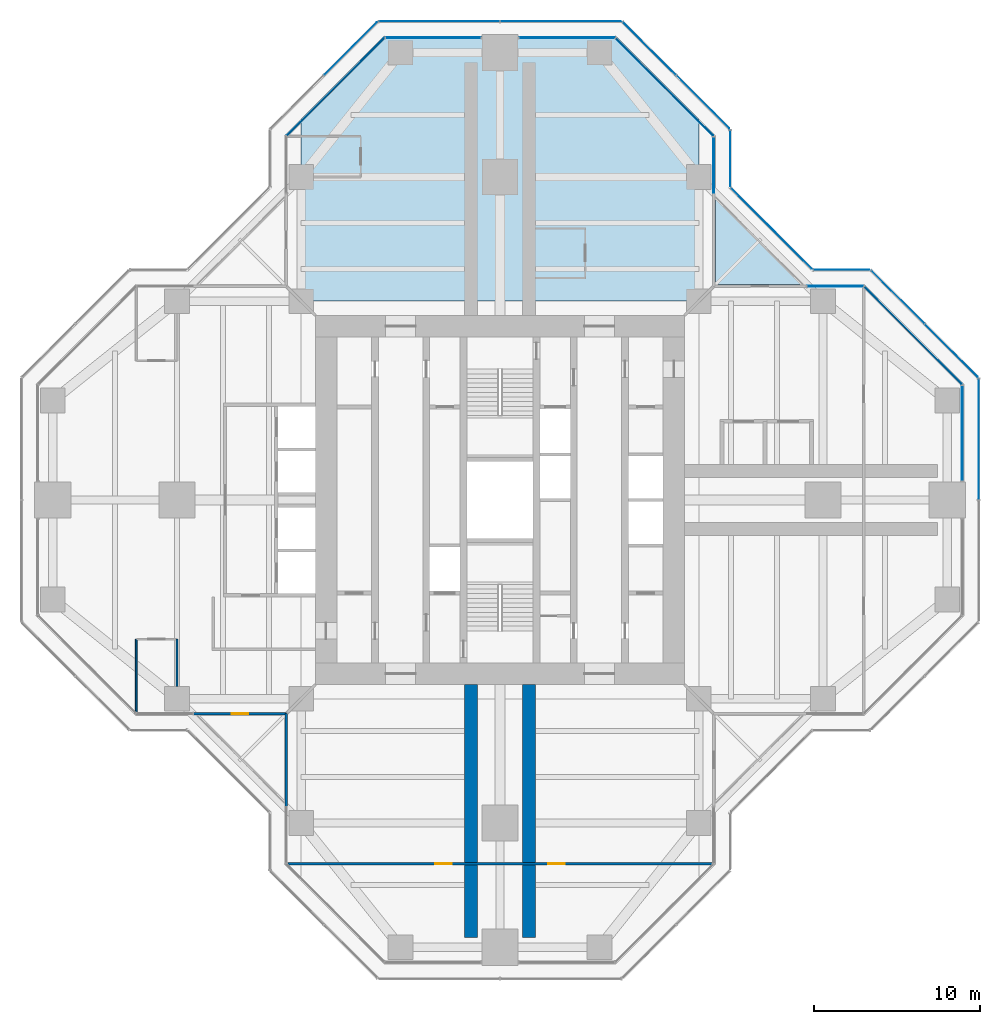
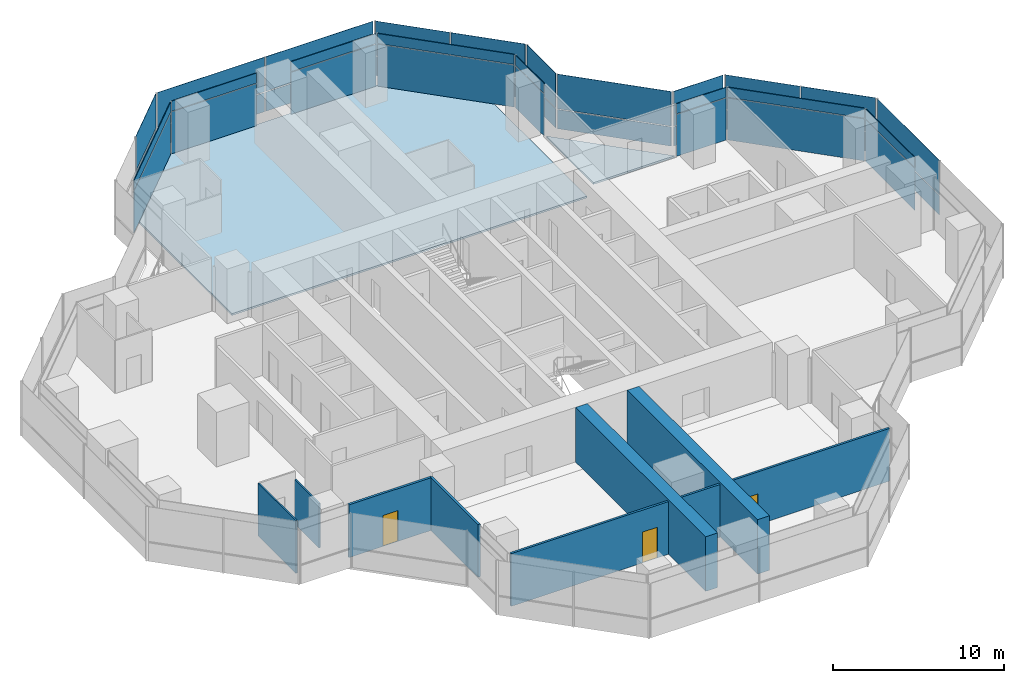
# One storey, part 12 of 17: 38 plates, 7 walls, 3 doors, 2 slabs, 3 openings, 16 elements without a shape of their own.
"""IFC4 building model written with IfcOpenShell, lengths in metres."""

from ifc_helpers import new_model, si_unit, direction, frame, frame_2d, origin, origin_2d, place, context, subcontext, project, spatial, polyline, rectangle, outline, extrude, material, layer, layer_set, type_object, element, fill, aggregate, save


model = new_model("IFC4")

# Units and contexts
model_context = context("Model", 3, precision=1e-05, world=origin(), true_north=direction((0.0, 1.0)))
body_context = subcontext(model_context, "Body", "Model", "MODEL_VIEW")
ifc_project = project(units=[si_unit("LENGTHUNIT", "METRE"), si_unit("AREAUNIT", "SQUARE_METRE"), si_unit("VOLUMEUNIT", "CUBIC_METRE"), si_unit("PLANEANGLEUNIT", "RADIAN"), si_unit("MASSUNIT", "GRAM", prefix="KILO")], contexts=[model_context])

# Site, building, storey
site_placement = place(None, origin())
site = spatial("IfcSite", under=ifc_project, at=site_placement, CompositionType="ELEMENT")
building_placement = place(site_placement, origin())
building = spatial("IfcBuilding", under=site, at=building_placement, Name="Mizan Broadcast Tower", CompositionType="ELEMENT")
storey_placement = place(building_placement, frame((0.0, 0.0, 208.800048828125)))
storey = spatial("IfcBuildingStorey", under=building, at=storey_placement, Name="L48", CompositionType="ELEMENT", Elevation=208.800048828125)

# Slab
ifc_material_1 = material(Name="Concrete C32/40", Category="concrete")
ifc_layer_1 = layer(ifc_material_1, 0.1298828125)
ifc_layer_set_1 = layer_set([ifc_layer_1], Name="Concrete C32/40")
slab_type_1 = type_object("IfcSlabType", Name="COMPOSITE DECK SLAB 130", PredefinedType="FLOOR", material=ifc_layer_set_1)
slab_1_placement = place(storey_placement, frame((0.0, 0.0, -0.130126953125)))
element("IfcSlab", 1, at=slab_1_placement, inside=storey, type_object=slab_type_1, Name="Floor slab L48 north arm", PredefinedType="FLOOR", context=body_context, shape_type="SweptSolid", body=[
    extrude(outline(polyline([(-7.0, 28.0), (-12.0, 23.0), (-12.0, 12.0), (12.0, 12.0), (12.0, 23.0), (7.0, 28.0), (-7.0, 28.0)])), origin(), (0.0, 0.0, 1.0), 0.130126953125),
])

# Curtain wall, plate
ifc_material_2 = material(Name="Aluminium framed glazing", Category="aluminium")
curtain_wall_type_1 = type_object("IfcCurtainWallType", Name="INNER SKIN HIGH ZONE", PredefinedType="USERDEFINED", material=ifc_material_2)
curtain_wall_1_placement = place(storey_placement, origin())
curtain_wall_1 = element("IfcCurtainWall", 2, at=curtain_wall_1_placement, inside=storey, type_object=curtain_wall_type_1, Name="Inner skin high zone L48 E end", ObjectType="INNER SKIN HIGH ZONE", PredefinedType="USERDEFINED")
ifc_material_3 = material(Name="Double glazing, clear low-e", Category="glass")
ifc_layer_2 = layer(ifc_material_3, 0.028076171875)
ifc_layer_set_2 = layer_set([ifc_layer_2], Name="Double glazing, clear low-e")
plate_type_1 = type_object("IfcPlateType", Name="INNER SKIN GLAZING UNIT", PredefinedType="CURTAIN_PANEL", material=ifc_layer_set_2)
plate_1_placement = place(storey_placement, frame((27.89990234375, 4.029296875, 0.0), z_axis=(0.0, 0.0, 1.0), x_axis=(0.0, 1.0, 0.0)))
plate_1 = element("IfcPlate", 3, at=plate_1_placement, type_object=plate_type_1, Name="Inner skin high zone L48 E end panel 1.1", PredefinedType="CURTAIN_PANEL", context=body_context, shape_type="SweptSolid", body=[
    extrude(rectangle(XDim=5.738525390625, YDim=0.028076171875, at=origin_2d()), origin(), (0.0, 0.0, 1.0), 3.0),
])

curtain_wall_2_placement = place(storey_placement, origin())
curtain_wall_2 = element("IfcCurtainWall", 4, at=curtain_wall_2_placement, inside=storey, type_object=curtain_wall_type_1, Name="Inner skin high zone L48 E chamfer", ObjectType="INNER SKIN HIGH ZONE", PredefinedType="USERDEFINED")
plate_2_placement = place(storey_placement, frame((24.92919921875, 9.92919921875, 0.0), z_axis=(0.0, 0.0, 1.0), x_axis=(-0.707106781187, 0.707106781187, 0.0)))
plate_2 = element("IfcPlate", 5, at=plate_2_placement, type_object=plate_type_1, Name="Inner skin high zone L48 E chamfer panel 1.1", PredefinedType="CURTAIN_PANEL", context=body_context, shape_type="SweptSolid", body=[
    extrude(rectangle(XDim=8.282470703125, YDim=0.028076171875, at=origin_2d()), origin(), (0.0, 0.0, 1.0), 3.0),
])

curtain_wall_3_placement = place(storey_placement, origin())
curtain_wall_3 = element("IfcCurtainWall", 6, at=curtain_wall_3_placement, inside=storey, type_object=curtain_wall_type_1, Name="Inner skin high zone L48 E side", ObjectType="INNER SKIN HIGH ZONE", PredefinedType="USERDEFINED")
plate_3_placement = place(storey_placement, frame((20.229248046875, 12.89990234375, 0.0), z_axis=(0.0, 0.0, 1.0), x_axis=(-1.0, 0.0, 0.0)))
plate_3 = element("IfcPlate", 7, at=plate_3_placement, type_object=plate_type_1, Name="Inner skin high zone L48 E side panel 1.1", PredefinedType="CURTAIN_PANEL", context=body_context, shape_type="SweptSolid", body=[
    extrude(rectangle(XDim=3.338623046875, YDim=0.028076171875, at=origin_2d()), origin(), (0.0, 0.0, 1.0), 3.0),
])

curtain_wall_4_placement = place(storey_placement, origin())
curtain_wall_4 = element("IfcCurtainWall", 8, at=curtain_wall_4_placement, inside=storey, type_object=curtain_wall_type_1, Name="Inner skin high zone L48 N side", ObjectType="INNER SKIN HIGH ZONE", PredefinedType="USERDEFINED")
plate_4_placement = place(storey_placement, frame((12.89990234375, 20.229248046875, 0.0), z_axis=(0.0, 0.0, 1.0), x_axis=(0.0, 1.0, 0.0)))
plate_4 = element("IfcPlate", 9, at=plate_4_placement, type_object=plate_type_1, Name="Inner skin high zone L48 N side panel 1.1", PredefinedType="CURTAIN_PANEL", context=body_context, shape_type="SweptSolid", body=[
    extrude(rectangle(XDim=3.338623046875, YDim=0.028076171875, at=origin_2d()), origin(), (0.0, 0.0, 1.0), 3.0),
])

curtain_wall_5_placement = place(storey_placement, origin())
curtain_wall_5 = element("IfcCurtainWall", 10, at=curtain_wall_5_placement, inside=storey, type_object=curtain_wall_type_1, Name="Inner skin high zone L48 N chamfer", ObjectType="INNER SKIN HIGH ZONE", PredefinedType="USERDEFINED")
plate_5_placement = place(storey_placement, frame((9.92919921875, 24.92919921875, 0.0), z_axis=(0.0, 0.0, 1.0), x_axis=(-0.707106781187, 0.707106781187, 0.0)))
plate_5 = element("IfcPlate", 11, at=plate_5_placement, type_object=plate_type_1, Name="Inner skin high zone L48 N chamfer panel 1.1", PredefinedType="CURTAIN_PANEL", context=body_context, shape_type="SweptSolid", body=[
    extrude(rectangle(XDim=8.282470703125, YDim=0.028076171875, at=origin_2d()), origin(), (0.0, 0.0, 1.0), 3.0),
])

curtain_wall_6_placement = place(storey_placement, origin())
curtain_wall_6 = element("IfcCurtainWall", 12, at=curtain_wall_6_placement, inside=storey, type_object=curtain_wall_type_1, Name="Inner skin high zone L48 N end", ObjectType="INNER SKIN HIGH ZONE", PredefinedType="USERDEFINED")
plate_6_placement = place(storey_placement, frame((4.029296875, 27.89990234375, 0.0), z_axis=(0.0, 0.0, 1.0), x_axis=(-1.0, 0.0, 0.0)))
plate_6 = element("IfcPlate", 13, at=plate_6_placement, type_object=plate_type_1, Name="Inner skin high zone L48 N end panel 1.1", PredefinedType="CURTAIN_PANEL", context=body_context, shape_type="SweptSolid", body=[
    extrude(rectangle(XDim=5.738525390625, YDim=0.028076171875, at=origin_2d()), origin(), (0.0, 0.0, 1.0), 3.0),
])

curtain_wall_7_placement = place(storey_placement, origin())
curtain_wall_7 = element("IfcCurtainWall", 14, at=curtain_wall_7_placement, inside=storey, type_object=curtain_wall_type_1, Name="Inner skin high zone L48 N end", ObjectType="INNER SKIN HIGH ZONE", PredefinedType="USERDEFINED")
plate_7_placement = place(storey_placement, frame((-4.029296875, 27.89990234375, 0.0), z_axis=(0.0, 0.0, 1.0), x_axis=(-1.0, 0.0, 0.0)))
plate_7 = element("IfcPlate", 15, at=plate_7_placement, type_object=plate_type_1, Name="Inner skin high zone L48 N end panel 1.1", PredefinedType="CURTAIN_PANEL", context=body_context, shape_type="SweptSolid", body=[
    extrude(rectangle(XDim=5.738525390625, YDim=0.028076171875, at=origin_2d()), origin(), (0.0, 0.0, 1.0), 3.0),
])

curtain_wall_8_placement = place(storey_placement, origin())
curtain_wall_8 = element("IfcCurtainWall", 16, at=curtain_wall_8_placement, inside=storey, type_object=curtain_wall_type_1, Name="Inner skin high zone L48 N chamfer", ObjectType="INNER SKIN HIGH ZONE", PredefinedType="USERDEFINED")
plate_8_placement = place(storey_placement, frame((-9.92919921875, 24.92919921875, 0.0), z_axis=(0.0, 0.0, 1.0), x_axis=(-0.707106781187, -0.707106781187, 0.0)))
plate_8 = element("IfcPlate", 17, at=plate_8_placement, type_object=plate_type_1, Name="Inner skin high zone L48 N chamfer panel 1.1", PredefinedType="CURTAIN_PANEL", context=body_context, shape_type="SweptSolid", body=[
    extrude(rectangle(XDim=8.282470703125, YDim=0.028076171875, at=origin_2d()), origin(), (0.0, 0.0, 1.0), 3.0),
])

# Plate
ifc_material_4 = material(Name="Insulated aluminium spandrel panel, pale anodised", Category="aluminium")
ifc_layer_3 = layer(ifc_material_4, 0.050048828125)
ifc_layer_set_3 = layer_set([ifc_layer_3], Name="Insulated aluminium spandrel panel, pale anodised")
plate_type_2 = type_object("IfcPlateType", Name="INNER SKIN SPANDREL PANEL", PredefinedType="CURTAIN_PANEL", material=ifc_layer_set_3)
plate_9_placement = place(storey_placement, frame((27.89990234375, 4.029296875, 3.06005859375), z_axis=(0.0, 0.0, 1.0), x_axis=(0.0, 1.0, 0.0)))
plate_9 = element("IfcPlate", 18, at=plate_9_placement, type_object=plate_type_2, Name="Inner skin high zone L48 E end panel 1.2", PredefinedType="CURTAIN_PANEL", context=body_context, shape_type="SweptSolid", body=[
    extrude(rectangle(XDim=5.738525390625, YDim=0.050048828125, at=origin_2d()), origin(), (0.0, 0.0, 1.0), 0.7099609375),
])

aggregate(curtain_wall_1, [plate_1, plate_9])

plate_10_placement = place(storey_placement, frame((24.92919921875, 9.92919921875, 3.06005859375), z_axis=(0.0, 0.0, 1.0), x_axis=(-0.707106781187, 0.707106781187, 0.0)))
plate_10 = element("IfcPlate", 19, at=plate_10_placement, type_object=plate_type_2, Name="Inner skin high zone L48 E chamfer panel 1.2", PredefinedType="CURTAIN_PANEL", context=body_context, shape_type="SweptSolid", body=[
    extrude(rectangle(XDim=8.282470703125, YDim=0.050048828125, at=origin_2d()), origin(), (0.0, 0.0, 1.0), 0.7099609375),
])

aggregate(curtain_wall_2, [plate_2, plate_10])

plate_11_placement = place(storey_placement, frame((20.229248046875, 12.89990234375, 3.06005859375), z_axis=(0.0, 0.0, 1.0), x_axis=(-1.0, 0.0, 0.0)))
plate_11 = element("IfcPlate", 20, at=plate_11_placement, type_object=plate_type_2, Name="Inner skin high zone L48 E side panel 1.2", PredefinedType="CURTAIN_PANEL", context=body_context, shape_type="SweptSolid", body=[
    extrude(rectangle(XDim=3.338623046875, YDim=0.050048828125, at=origin_2d()), origin(), (0.0, 0.0, 1.0), 0.7099609375),
])

aggregate(curtain_wall_3, [plate_3, plate_11])

plate_12_placement = place(storey_placement, frame((12.89990234375, 20.229248046875, 3.06005859375), z_axis=(0.0, 0.0, 1.0), x_axis=(0.0, 1.0, 0.0)))
plate_12 = element("IfcPlate", 21, at=plate_12_placement, type_object=plate_type_2, Name="Inner skin high zone L48 N side panel 1.2", PredefinedType="CURTAIN_PANEL", context=body_context, shape_type="SweptSolid", body=[
    extrude(rectangle(XDim=3.338623046875, YDim=0.050048828125, at=origin_2d()), origin(), (0.0, 0.0, 1.0), 0.7099609375),
])

aggregate(curtain_wall_4, [plate_4, plate_12])

plate_13_placement = place(storey_placement, frame((9.92919921875, 24.92919921875, 3.06005859375), z_axis=(0.0, 0.0, 1.0), x_axis=(-0.707106781187, 0.707106781187, 0.0)))
plate_13 = element("IfcPlate", 22, at=plate_13_placement, type_object=plate_type_2, Name="Inner skin high zone L48 N chamfer panel 1.2", PredefinedType="CURTAIN_PANEL", context=body_context, shape_type="SweptSolid", body=[
    extrude(rectangle(XDim=8.282470703125, YDim=0.050048828125, at=origin_2d()), origin(), (0.0, 0.0, 1.0), 0.7099609375),
])

aggregate(curtain_wall_5, [plate_5, plate_13])

plate_14_placement = place(storey_placement, frame((4.029296875, 27.89990234375, 3.06005859375), z_axis=(0.0, 0.0, 1.0), x_axis=(-1.0, 0.0, 0.0)))
plate_14 = element("IfcPlate", 23, at=plate_14_placement, type_object=plate_type_2, Name="Inner skin high zone L48 N end panel 1.2", PredefinedType="CURTAIN_PANEL", context=body_context, shape_type="SweptSolid", body=[
    extrude(rectangle(XDim=5.738525390625, YDim=0.050048828125, at=origin_2d()), origin(), (0.0, 0.0, 1.0), 0.7099609375),
])

aggregate(curtain_wall_6, [plate_6, plate_14])

plate_15_placement = place(storey_placement, frame((-4.029296875, 27.89990234375, 3.06005859375), z_axis=(0.0, 0.0, 1.0), x_axis=(-1.0, 0.0, 0.0)))
plate_15 = element("IfcPlate", 24, at=plate_15_placement, type_object=plate_type_2, Name="Inner skin high zone L48 N end panel 1.2", PredefinedType="CURTAIN_PANEL", context=body_context, shape_type="SweptSolid", body=[
    extrude(rectangle(XDim=5.738525390625, YDim=0.050048828125, at=origin_2d()), origin(), (0.0, 0.0, 1.0), 0.7099609375),
])

aggregate(curtain_wall_7, [plate_7, plate_15])

plate_16_placement = place(storey_placement, frame((-9.92919921875, 24.92919921875, 3.06005859375), z_axis=(0.0, 0.0, 1.0), x_axis=(-0.707106781187, -0.707106781187, 0.0)))
plate_16 = element("IfcPlate", 25, at=plate_16_placement, type_object=plate_type_2, Name="Inner skin high zone L48 N chamfer panel 1.2", PredefinedType="CURTAIN_PANEL", context=body_context, shape_type="SweptSolid", body=[
    extrude(rectangle(XDim=8.282470703125, YDim=0.050048828125, at=origin_2d()), origin(), (0.0, 0.0, 1.0), 0.7099609375),
])

aggregate(curtain_wall_8, [plate_8, plate_16])

# Curtain wall, plates
ifc_material_5 = material(Name="Aluminium framed glazing", Category="aluminium")
curtain_wall_type_2 = type_object("IfcCurtainWallType", Name="OUTER SKIN", PredefinedType="USERDEFINED", material=ifc_material_5)
curtain_wall_9_placement = place(storey_placement, origin())
curtain_wall_9 = element("IfcCurtainWall", 26, at=curtain_wall_9_placement, inside=storey, type_object=curtain_wall_type_2, Name="Outer skin L48 E chamfer", ObjectType="OUTER SKIN", PredefinedType="USERDEFINED")
ifc_material_6 = material(Name="Laminated clear glass", Category="glass")
ifc_layer_4 = layer(ifc_material_6, 0.02001953125)
ifc_layer_set_4 = layer_set([ifc_layer_4], Name="Laminated clear glass")
plate_type_3 = type_object("IfcPlateType", Name="OUTER SKIN CLEAR GLASS", PredefinedType="CURTAIN_PANEL", material=ifc_layer_set_4)
plate_17_placement = place(storey_placement, frame((27.254150390625, 9.018798828125, 0.0), z_axis=(0.0, 0.0, 1.0), x_axis=(-0.707106781187, 0.707106781187, 0.0)))
plate_17 = element("IfcPlate", 27, at=plate_17_placement, type_object=plate_type_3, Name="Outer skin L48 E chamfer panel 1.1", PredefinedType="CURTAIN_PANEL", context=body_context, shape_type="SweptSolid", body=[
    extrude(rectangle(XDim=4.495361328125, YDim=0.02001953125, at=origin_2d()), origin(), (0.0, 0.0, 1.0), 1.3701171875),
])
plate_18_placement = place(storey_placement, frame((27.254150390625, 9.018798828125, 1.43017578125), z_axis=(0.0, 0.0, 1.0), x_axis=(-0.707106781187, 0.707106781187, 0.0)))
plate_18 = element("IfcPlate", 28, at=plate_18_placement, type_object=plate_type_3, Name="Outer skin L48 E chamfer panel 1.2", PredefinedType="CURTAIN_PANEL", context=body_context, shape_type="SweptSolid", body=[
    extrude(rectangle(XDim=4.495361328125, YDim=0.02001953125, at=origin_2d()), origin(), (0.0, 0.0, 1.0), 2.469970703125),
])

curtain_wall_10_placement = place(storey_placement, origin())
curtain_wall_10 = element("IfcCurtainWall", 29, at=curtain_wall_10_placement, inside=storey, type_object=curtain_wall_type_2, Name="Outer skin L48 E side", ObjectType="OUTER SKIN", PredefinedType="USERDEFINED")
plate_19_placement = place(storey_placement, frame((20.622802734375, 13.89990234375, 0.0), z_axis=(0.0, 0.0, 1.0), x_axis=(-1.0, 0.0, 0.0)))
plate_19 = element("IfcPlate", 30, at=plate_19_placement, type_object=plate_type_3, Name="Outer skin L48 E side panel 1.1", PredefinedType="CURTAIN_PANEL", context=body_context, shape_type="SweptSolid", body=[
    extrude(rectangle(XDim=3.340087890625, YDim=0.02001953125, at=origin_2d()), origin(), (0.0, 0.0, 1.0), 1.3701171875),
])
plate_20_placement = place(storey_placement, frame((20.622802734375, 13.89990234375, 1.43017578125), z_axis=(0.0, 0.0, 1.0), x_axis=(-1.0, 0.0, 0.0)))
plate_20 = element("IfcPlate", 31, at=plate_20_placement, type_object=plate_type_3, Name="Outer skin L48 E side panel 1.2", PredefinedType="CURTAIN_PANEL", context=body_context, shape_type="SweptSolid", body=[
    extrude(rectangle(XDim=3.340087890625, YDim=0.02001953125, at=origin_2d()), origin(), (0.0, 0.0, 1.0), 2.469970703125),
])
aggregate(curtain_wall_10, [plate_19, plate_20])

curtain_wall_11_placement = place(storey_placement, origin())
curtain_wall_11 = element("IfcCurtainWall", 32, at=curtain_wall_11_placement, inside=storey, type_object=curtain_wall_type_2, Name="Outer skin L48 E chamfer", ObjectType="OUTER SKIN", PredefinedType="USERDEFINED")
plate_21_placement = place(storey_placement, frame((16.386474609375, 16.386474609375, 0.0), z_axis=(0.0, 0.0, 1.0), x_axis=(-0.707106781187, 0.707106781187, 0.0)))
plate_21 = element("IfcPlate", 33, at=plate_21_placement, type_object=plate_type_3, Name="Outer skin L48 E chamfer panel 1.1", PredefinedType="CURTAIN_PANEL", context=body_context, shape_type="SweptSolid", body=[
    extrude(rectangle(XDim=6.87255859375, YDim=0.02001953125, at=origin_2d()), origin(), (0.0, 0.0, 1.0), 1.3701171875),
])
plate_22_placement = place(storey_placement, frame((16.386474609375, 16.386474609375, 1.43017578125), z_axis=(0.0, 0.0, 1.0), x_axis=(-0.707106781187, 0.707106781187, 0.0)))
plate_22 = element("IfcPlate", 34, at=plate_22_placement, type_object=plate_type_3, Name="Outer skin L48 E chamfer panel 1.2", PredefinedType="CURTAIN_PANEL", context=body_context, shape_type="SweptSolid", body=[
    extrude(rectangle(XDim=6.87255859375, YDim=0.02001953125, at=origin_2d()), origin(), (0.0, 0.0, 1.0), 2.469970703125),
])
aggregate(curtain_wall_11, [plate_21, plate_22])

curtain_wall_12_placement = place(storey_placement, origin())
curtain_wall_12 = element("IfcCurtainWall", 35, at=curtain_wall_12_placement, inside=storey, type_object=curtain_wall_type_2, Name="Outer skin L48 N side", ObjectType="OUTER SKIN", PredefinedType="USERDEFINED")
plate_23_placement = place(storey_placement, frame((13.89990234375, 20.622802734375, 0.0), z_axis=(0.0, 0.0, 1.0), x_axis=(0.0, 1.0, 0.0)))
plate_23 = element("IfcPlate", 36, at=plate_23_placement, type_object=plate_type_3, Name="Outer skin L48 N side panel 1.1", PredefinedType="CURTAIN_PANEL", context=body_context, shape_type="SweptSolid", body=[
    extrude(rectangle(XDim=3.340087890625, YDim=0.02001953125, at=origin_2d()), origin(), (0.0, 0.0, 1.0), 1.3701171875),
])
plate_24_placement = place(storey_placement, frame((13.89990234375, 20.622802734375, 1.43017578125), z_axis=(0.0, 0.0, 1.0), x_axis=(0.0, 1.0, 0.0)))
plate_24 = element("IfcPlate", 37, at=plate_24_placement, type_object=plate_type_3, Name="Outer skin L48 N side panel 1.2", PredefinedType="CURTAIN_PANEL", context=body_context, shape_type="SweptSolid", body=[
    extrude(rectangle(XDim=3.340087890625, YDim=0.02001953125, at=origin_2d()), origin(), (0.0, 0.0, 1.0), 2.469970703125),
])
aggregate(curtain_wall_12, [plate_23, plate_24])

curtain_wall_13_placement = place(storey_placement, origin())
curtain_wall_13 = element("IfcCurtainWall", 38, at=curtain_wall_13_placement, inside=storey, type_object=curtain_wall_type_2, Name="Outer skin L48 N chamfer", ObjectType="OUTER SKIN", PredefinedType="USERDEFINED")
plate_25_placement = place(storey_placement, frame((12.254150390625, 24.018798828125, 0.0), z_axis=(0.0, 0.0, 1.0), x_axis=(-0.707106781187, 0.707106781187, 0.0)))
plate_25 = element("IfcPlate", 39, at=plate_25_placement, type_object=plate_type_3, Name="Outer skin L48 N chamfer panel 1.1", PredefinedType="CURTAIN_PANEL", context=body_context, shape_type="SweptSolid", body=[
    extrude(rectangle(XDim=4.495361328125, YDim=0.02001953125, at=origin_2d()), origin(), (0.0, 0.0, 1.0), 1.3701171875),
])
plate_26_placement = place(storey_placement, frame((12.254150390625, 24.018798828125, 1.43017578125), z_axis=(0.0, 0.0, 1.0), x_axis=(-0.707106781187, 0.707106781187, 0.0)))
plate_26 = element("IfcPlate", 40, at=plate_26_placement, type_object=plate_type_3, Name="Outer skin L48 N chamfer panel 1.2", PredefinedType="CURTAIN_PANEL", context=body_context, shape_type="SweptSolid", body=[
    extrude(rectangle(XDim=4.495361328125, YDim=0.02001953125, at=origin_2d()), origin(), (0.0, 0.0, 1.0), 2.469970703125),
])

curtain_wall_14_placement = place(storey_placement, origin())
curtain_wall_14 = element("IfcCurtainWall", 41, at=curtain_wall_14_placement, inside=storey, type_object=curtain_wall_type_2, Name="Outer skin L48 N end", ObjectType="OUTER SKIN", PredefinedType="USERDEFINED")
plate_27_placement = place(storey_placement, frame((3.66650390625, 28.89990234375, 0.0), z_axis=(0.0, 0.0, 1.0), x_axis=(-1.0, 0.0, 0.0)))
plate_27 = element("IfcPlate", 42, at=plate_27_placement, type_object=plate_type_3, Name="Outer skin L48 N end panel 1.1", PredefinedType="CURTAIN_PANEL", context=body_context, shape_type="SweptSolid", body=[
    extrude(rectangle(XDim=7.252685546875, YDim=0.02001953125, at=origin_2d()), origin(), (0.0, 0.0, 1.0), 1.3701171875),
])
plate_28_placement = place(storey_placement, frame((3.66650390625, 28.89990234375, 1.43017578125), z_axis=(0.0, 0.0, 1.0), x_axis=(-1.0, 0.0, 0.0)))
plate_28 = element("IfcPlate", 43, at=plate_28_placement, type_object=plate_type_3, Name="Outer skin L48 N end panel 1.2", PredefinedType="CURTAIN_PANEL", context=body_context, shape_type="SweptSolid", body=[
    extrude(rectangle(XDim=7.252685546875, YDim=0.02001953125, at=origin_2d()), origin(), (0.0, 0.0, 1.0), 2.469970703125),
])
plate_29_placement = place(storey_placement, frame((-3.66650390625, 28.89990234375, 0.0), z_axis=(0.0, 0.0, 1.0), x_axis=(-1.0, 0.0, 0.0)))
plate_29 = element("IfcPlate", 44, at=plate_29_placement, type_object=plate_type_3, Name="Outer skin L48 N end panel 2.1", PredefinedType="CURTAIN_PANEL", context=body_context, shape_type="SweptSolid", body=[
    extrude(rectangle(XDim=7.252685546875, YDim=0.02001953125, at=origin_2d()), origin(), (0.0, 0.0, 1.0), 1.3701171875),
])
plate_30_placement = place(storey_placement, frame((-3.66650390625, 28.89990234375, 1.43017578125), z_axis=(0.0, 0.0, 1.0), x_axis=(-1.0, 0.0, 0.0)))
plate_30 = element("IfcPlate", 45, at=plate_30_placement, type_object=plate_type_3, Name="Outer skin L48 N end panel 2.2", PredefinedType="CURTAIN_PANEL", context=body_context, shape_type="SweptSolid", body=[
    extrude(rectangle(XDim=7.252685546875, YDim=0.02001953125, at=origin_2d()), origin(), (0.0, 0.0, 1.0), 2.469970703125),
])
aggregate(curtain_wall_14, [plate_27, plate_28, plate_29, plate_30])

curtain_wall_15_placement = place(storey_placement, origin())
curtain_wall_15 = element("IfcCurtainWall", 46, at=curtain_wall_15_placement, inside=storey, type_object=curtain_wall_type_2, Name="Outer skin L48 N chamfer", ObjectType="OUTER SKIN", PredefinedType="USERDEFINED")
plate_31_placement = place(storey_placement, frame((-9.018798828125, 27.254150390625, 0.0), z_axis=(0.0, 0.0, 1.0), x_axis=(-0.707106781187, -0.707106781187, 0.0)))
plate_31 = element("IfcPlate", 47, at=plate_31_placement, type_object=plate_type_3, Name="Outer skin L48 N chamfer panel 1.1", PredefinedType="CURTAIN_PANEL", context=body_context, shape_type="SweptSolid", body=[
    extrude(rectangle(XDim=4.495361328125, YDim=0.02001953125, at=origin_2d()), origin(), (0.0, 0.0, 1.0), 1.3701171875),
])
plate_32_placement = place(storey_placement, frame((-9.018798828125, 27.254150390625, 1.43017578125), z_axis=(0.0, 0.0, 1.0), x_axis=(-0.707106781187, -0.707106781187, 0.0)))
plate_32 = element("IfcPlate", 48, at=plate_32_placement, type_object=plate_type_3, Name="Outer skin L48 N chamfer panel 1.2", PredefinedType="CURTAIN_PANEL", context=body_context, shape_type="SweptSolid", body=[
    extrude(rectangle(XDim=4.495361328125, YDim=0.02001953125, at=origin_2d()), origin(), (0.0, 0.0, 1.0), 2.469970703125),
])
aggregate(curtain_wall_15, [plate_31, plate_32])

curtain_wall_16_placement = place(storey_placement, origin())
curtain_wall_16 = element("IfcCurtainWall", 49, at=curtain_wall_16_placement, inside=storey, type_object=curtain_wall_type_2, Name="Outer skin L48 E end", ObjectType="OUTER SKIN", PredefinedType="USERDEFINED")
ifc_material_7 = material(Name="Perforated aluminium, pale anodised", Category="aluminium")
ifc_layer_5 = layer(ifc_material_7, 0.011962890625)
ifc_layer_set_5 = layer_set([ifc_layer_5], Name="Perforated aluminium, pale anodised")
plate_type_4 = type_object("IfcPlateType", Name="OUTER SKIN PERFORATED SCREEN", PredefinedType="USERDEFINED", material=ifc_layer_set_5)
plate_33_placement = place(storey_placement, frame((28.89990234375, 3.66650390625, 0.0), z_axis=(0.0, 0.0, 1.0), x_axis=(0.0, 1.0, 0.0)))
plate_33 = element("IfcPlate", 50, at=plate_33_placement, type_object=plate_type_4, Name="Outer skin L48 E end panel 2.1", ObjectType="SCREEN", PredefinedType="USERDEFINED", context=body_context, shape_type="SweptSolid", body=[
    extrude(rectangle(XDim=7.252685546875, YDim=0.011962890625, at=origin_2d()), origin(), (0.0, 0.0, 1.0), 1.3701171875),
])
plate_34_placement = place(storey_placement, frame((28.89990234375, 3.66650390625, 1.43017578125), z_axis=(0.0, 0.0, 1.0), x_axis=(0.0, 1.0, 0.0)))
plate_34 = element("IfcPlate", 51, at=plate_34_placement, type_object=plate_type_4, Name="Outer skin L48 E end panel 2.2", ObjectType="SCREEN", PredefinedType="USERDEFINED", context=body_context, shape_type="SweptSolid", body=[
    extrude(rectangle(XDim=7.252685546875, YDim=0.011962890625, at=origin_2d()), origin(), (0.0, 0.0, 1.0), 2.469970703125),
])
aggregate(curtain_wall_16, [plate_33, plate_34])

# Plate
plate_35_placement = place(storey_placement, frame((24.018798828125, 12.254150390625, 0.0), z_axis=(0.0, 0.0, 1.0), x_axis=(-0.707106781187, 0.707106781187, 0.0)))
plate_35 = element("IfcPlate", 52, at=plate_35_placement, type_object=plate_type_4, Name="Outer skin L48 E chamfer panel 2.1", ObjectType="SCREEN", PredefinedType="USERDEFINED", context=body_context, shape_type="SweptSolid", body=[
    extrude(rectangle(XDim=4.495361328125, YDim=0.011962890625, at=origin_2d()), origin(), (0.0, 0.0, 1.0), 1.3701171875),
])

plate_36_placement = place(storey_placement, frame((24.018798828125, 12.254150390625, 1.43017578125), z_axis=(0.0, 0.0, 1.0), x_axis=(-0.707106781187, 0.707106781187, 0.0)))
plate_36 = element("IfcPlate", 53, at=plate_36_placement, type_object=plate_type_4, Name="Outer skin L48 E chamfer panel 2.2", ObjectType="SCREEN", PredefinedType="USERDEFINED", context=body_context, shape_type="SweptSolid", body=[
    extrude(rectangle(XDim=4.495361328125, YDim=0.011962890625, at=origin_2d()), origin(), (0.0, 0.0, 1.0), 2.469970703125),
])

aggregate(curtain_wall_9, [plate_17, plate_18, plate_35, plate_36])

plate_37_placement = place(storey_placement, frame((9.018798828125, 27.254150390625, 0.0), z_axis=(0.0, 0.0, 1.0), x_axis=(-0.707106781187, 0.707106781187, 0.0)))
plate_37 = element("IfcPlate", 54, at=plate_37_placement, type_object=plate_type_4, Name="Outer skin L48 N chamfer panel 2.1", ObjectType="SCREEN", PredefinedType="USERDEFINED", context=body_context, shape_type="SweptSolid", body=[
    extrude(rectangle(XDim=4.495361328125, YDim=0.011962890625, at=origin_2d()), origin(), (0.0, 0.0, 1.0), 1.3701171875),
])

plate_38_placement = place(storey_placement, frame((9.018798828125, 27.254150390625, 1.43017578125), z_axis=(0.0, 0.0, 1.0), x_axis=(-0.707106781187, 0.707106781187, 0.0)))
plate_38 = element("IfcPlate", 55, at=plate_38_placement, type_object=plate_type_4, Name="Outer skin L48 N chamfer panel 2.2", ObjectType="SCREEN", PredefinedType="USERDEFINED", context=body_context, shape_type="SweptSolid", body=[
    extrude(rectangle(XDim=4.495361328125, YDim=0.011962890625, at=origin_2d()), origin(), (0.0, 0.0, 1.0), 2.469970703125),
])

aggregate(curtain_wall_13, [plate_25, plate_26, plate_37, plate_38])

# Slab
ifc_material_8 = material(Name="Concrete C32/40", Category="concrete")
ifc_layer_6 = layer(ifc_material_8, 0.1298828125)
ifc_layer_set_6 = layer_set([ifc_layer_6], Name="Concrete C32/40")
slab_type_2 = type_object("IfcSlabType", Name="WINTER GARDEN SLAB 130", PredefinedType="FLOOR", material=ifc_layer_set_6)
slab_2_placement = place(storey_placement, frame((0.0, 0.0, -0.130126953125)))
element("IfcSlab", 56, at=slab_2_placement, inside=storey, type_object=slab_type_2, Name="Winter garden slab L48 E", PredefinedType="FLOOR", context=body_context, shape_type="SweptSolid", body=[
    extrude(outline(polyline([(13.0, 13.0), (18.5, 13.0), (13.0, 18.5), (13.0, 13.0)])), origin(), (0.0, 0.0, 1.0), 0.130126953125),
])

# Wall, opening, door
ifc_material_9 = material(Name="Aluminium framed glazed screen", Category="aluminium")
ifc_layer_7 = layer(ifc_material_9, 0.159912109375)
ifc_layer_set_7 = layer_set([ifc_layer_7], Name="Aluminium framed glazed screen")
wall_type_1 = type_object("IfcWallType", Name="GLAZED SCREEN WALL 160", PredefinedType="SOLIDWALL", material=ifc_layer_set_7)
wall_1_placement = place(storey_placement, frame((-18.5, -12.89990234375, 0.0), z_axis=(0.0, 0.0, 1.0), x_axis=(1.0, 0.0, 0.0)))
wall_1 = element("IfcWall", 57, at=wall_1_placement, inside=storey, type_object=wall_type_1, Name="Winter garden screen L48 W", PredefinedType="SOLIDWALL", context=body_context, shape_type="SweptSolid", body=[
    extrude(rectangle(XDim=5.60009765625, YDim=0.159912109375, at=frame_2d((2.800048828125, 0.0))), origin(), (0.0, 0.0, 1.0), 3.77001953125),
])
opening_1_placement = place(wall_1_placement, frame((2.300048828125, 0.0, 0.0)))
opening_1 = element("IfcOpeningElement", 58, at=opening_1_placement, cuts=wall_1, Name="Opening WGD", PredefinedType="OPENING", context=body_context, shape_type="SweptSolid", body=[
    extrude(rectangle(XDim=1.0, YDim=2.199951171875, at=frame_2d((0.5, 1.10009765625))), frame((0.0, 0.08984375, 0.0), z_axis=(0.0, -1.0, 0.0), x_axis=(1.0, 0.0, 0.0)), (0.0, 0.0, 1.0), 0.179931640625),
])
ifc_material_10 = material(Name="Aluminium framed glazed door", Category="aluminium")
door_type_1 = type_object("IfcDoorType", Name="WINTER GARDEN DOOR 1000 GLAZED", OperationType="SINGLE_SWING_LEFT", PredefinedType="DOOR", material=ifc_material_10)
door_1_placement = place(opening_1_placement, origin())
door_1 = element("IfcDoor", 59, at=door_1_placement, inside=storey, type_object=door_type_1, Name="Winter garden door L48 W", OperationType="SINGLE_SWING_RIGHT", OverallHeight=2.199951171875, OverallWidth=1.0, PredefinedType="DOOR", context=body_context, shape_type="SweptSolid", body=[
    extrude(rectangle(XDim=1.0, YDim=2.199951171875, at=frame_2d((0.5, 1.10009765625))), frame((0.0, 0.02490234375, 0.0), z_axis=(0.0, -1.0, 0.0), x_axis=(1.0, 0.0, 0.0)), (0.0, 0.0, 1.0), 0.050048828125),
])
fill(opening_1, door_1)

# Wall
wall_2_placement = place(storey_placement, frame((-12.89990234375, -12.89990234375, 0.0), z_axis=(0.0, 0.0, 1.0), x_axis=(0.0, -1.0, 0.0)))
element("IfcWall", 60, at=wall_2_placement, inside=storey, type_object=wall_type_1, Name="Winter garden screen L48 S", PredefinedType="SOLIDWALL", context=body_context, shape_type="SweptSolid", body=[
    extrude(rectangle(XDim=5.60009765625, YDim=0.159912109375, at=frame_2d((2.800048828125, 0.0))), origin(), (0.0, 0.0, 1.0), 3.77001953125),
])

# Wall, openings, doors
ifc_material_11 = material(Name="Gypsum board on steel studs", Category="steel")
ifc_layer_8 = layer(ifc_material_11, 0.14990234375)
ifc_layer_set_8 = layer_set([ifc_layer_8], Name="Gypsum board on steel studs")
wall_type_2 = type_object("IfcWallType", Name="PARTITION 150", PredefinedType="PARTITIONING", material=ifc_layer_set_8)
wall_3_placement = place(storey_placement, frame((-12.786376953125, -21.958984375, 0.0), z_axis=(0.0, 0.0, 1.0), x_axis=(1.0, 0.0, 0.0)))
wall_3 = element("IfcWall", 61, at=wall_3_placement, inside=storey, type_object=wall_type_2, Name="Partition PT/SX1", PredefinedType="PARTITIONING", context=body_context, shape_type="SweptSolid", body=[
    extrude(rectangle(XDim=25.57275390625, YDim=0.14990234375, at=frame_2d((12.786376953125, 0.0))), origin(), (0.0, 0.0, 1.0), 3.77001953125),
])
opening_2_placement = place(wall_3_placement, frame((15.6865234375, 0.0, 0.0)))
opening_2 = element("IfcOpeningElement", 62, at=opening_2_placement, cuts=wall_3, Name="Opening D10", PredefinedType="OPENING", context=body_context, shape_type="SweptSolid", body=[
    extrude(rectangle(XDim=1.0, YDim=2.199951171875, at=frame_2d((0.5, 1.10009765625))), frame((0.0, 0.0849609375, 0.0), z_axis=(0.0, -1.0, 0.0), x_axis=(1.0, 0.0, 0.0)), (0.0, 0.0, 1.0), 0.169921875),
])
opening_3_placement = place(wall_3_placement, frame((8.886474609375, 0.0, 0.0)))
opening_3 = element("IfcOpeningElement", 63, at=opening_3_placement, cuts=wall_3, Name="Opening D10", PredefinedType="OPENING", context=body_context, shape_type="SweptSolid", body=[
    extrude(rectangle(XDim=1.0, YDim=2.199951171875, at=frame_2d((0.5, 1.10009765625))), frame((0.0, 0.0849609375, 0.0), z_axis=(0.0, -1.0, 0.0), x_axis=(1.0, 0.0, 0.0)), (0.0, 0.0, 1.0), 0.169921875),
])
ifc_material_12 = material(Name="Timber door leaf in aluminium frame", Category="wood")
door_type_2 = type_object("IfcDoorType", Name="ROOM DOOR 1000", OperationType="SINGLE_SWING_LEFT", PredefinedType="DOOR", material=ifc_material_12)
door_2_placement = place(opening_2_placement, origin())
door_2 = element("IfcDoor", 64, at=door_2_placement, inside=storey, type_object=door_type_2, Name="Music library door", OperationType="SINGLE_SWING_RIGHT", OverallHeight=2.199951171875, OverallWidth=1.0, PredefinedType="DOOR", context=body_context, shape_type="SweptSolid", body=[
    extrude(rectangle(XDim=1.0, YDim=2.199951171875, at=frame_2d((0.5, 1.10009765625))), frame((0.0, 0.02490234375, 0.0), z_axis=(0.0, -1.0, 0.0), x_axis=(1.0, 0.0, 0.0)), (0.0, 0.0, 1.0), 0.050048828125),
])
fill(opening_2, door_2)
door_3_placement = place(opening_3_placement, origin())
door_3 = element("IfcDoor", 65, at=door_3_placement, inside=storey, type_object=door_type_2, Name="Music library door", OperationType="SINGLE_SWING_LEFT", OverallHeight=2.199951171875, OverallWidth=1.0, PredefinedType="DOOR", context=body_context, shape_type="SweptSolid", body=[
    extrude(rectangle(XDim=1.0, YDim=2.199951171875, at=frame_2d((0.5, 1.10009765625))), frame((0.0, 0.02490234375, 0.0), z_axis=(0.0, -1.0, 0.0), x_axis=(1.0, 0.0, 0.0)), (0.0, 0.0, 1.0), 0.050048828125),
])
fill(opening_3, door_3)

# Walls
ifc_material_13 = material(Name="Glazed aluminium partition on aluminium track", Category="aluminium")
ifc_layer_9 = layer(ifc_material_13, 0.10009765625)
ifc_layer_set_9 = layer_set([ifc_layer_9], Name="Glazed aluminium partition on aluminium track")
wall_type_3 = type_object("IfcWallType", Name="PARTITION GLAZED OFFICE FRONT 100", PredefinedType="PARTITIONING", material=ifc_layer_set_9)
wall_4_placement = place(storey_placement, frame((-19.5, -8.39990234375, 0.0), z_axis=(0.0, 0.0, 1.0), x_axis=(0.0, -1.0, 0.0)))
element("IfcWall", 66, at=wall_4_placement, inside=storey, type_object=wall_type_3, Name="Glazed office front PT/WQP1950", PredefinedType="PARTITIONING", context=body_context, shape_type="SweptSolid", body=[
    extrude(rectangle(XDim=2.85009765625, YDim=0.10009765625, at=frame_2d((1.425048828125, 0.0))), origin(), (0.0, 0.0, 1.0), 3.179931640625),
])
wall_5_placement = place(storey_placement, frame((-21.958984375, -8.39990234375, 0.0), z_axis=(0.0, 0.0, 1.0), x_axis=(0.0, -1.0, 0.0)))
element("IfcWall", 67, at=wall_5_placement, inside=storey, type_object=wall_type_3, Name="Glazed office front PT/WQP2196", PredefinedType="PARTITIONING", context=body_context, shape_type="SweptSolid", body=[
    extrude(rectangle(XDim=4.420166015625, YDim=0.10009765625, at=frame_2d((2.2099609375, 0.0))), origin(), (0.0, 0.0, 1.0), 3.77001953125),
])
ifc_material_14 = material(Name="Concrete C70/85", Category="concrete")
ifc_layer_10 = layer(ifc_material_14, 0.800048828125)
ifc_layer_set_10 = layer_set([ifc_layer_10], Name="Concrete C70/85")
wall_type_4 = type_object("IfcWallType", Name="SPINE WALL 800", PredefinedType="SHEAR", material=ifc_layer_set_10)
for number, where, z_axis, x_axis, name in (
    (68, (-1.75, -11.14990234375, 0.0), (0.0, 0.0, 1.0), (0.0, -1.0, 0.0), "Spine wall SR L48"),
    (69, (1.75, -11.14990234375, 0.0), (0.0, 0.0, 1.0), (0.0, -1.0, 0.0), "Spine wall SL L48"),
):
    element("IfcWall", number, at=place(storey_placement, frame(where, z_axis=z_axis, x_axis=x_axis)), inside=storey, type_object=wall_type_4, Name=name, PredefinedType="SHEAR", context=body_context, shape_type="SweptSolid", body=[
        extrude(rectangle(XDim=15.25, YDim=0.800048828125, at=frame_2d((7.625, 0.0))), origin(), (0.0, 0.0, 1.0), 3.89990234375),
    ])

save(model, "model.ifc")
